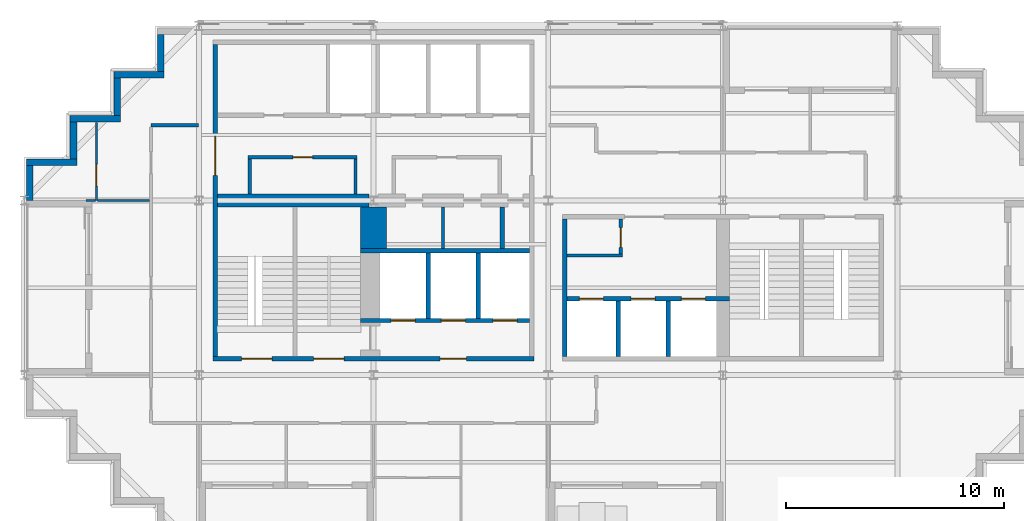
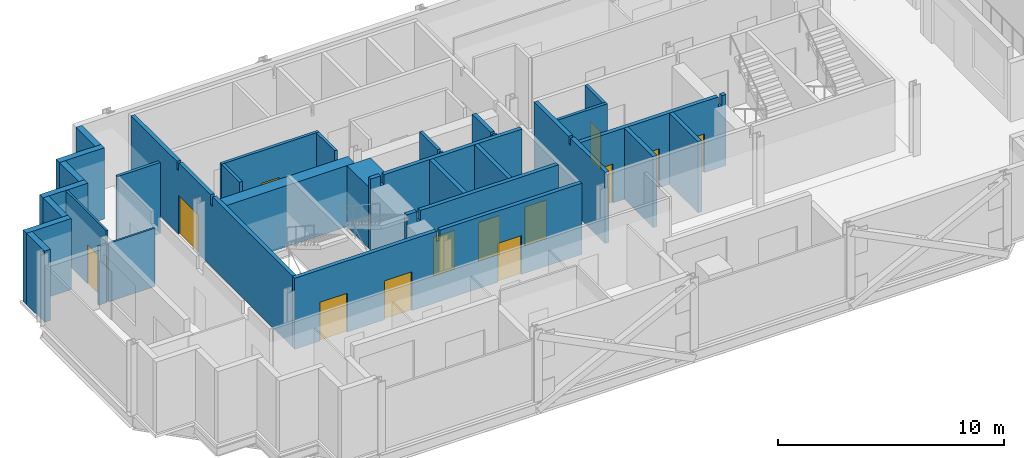
# One storey, part 5 of 10: 30 walls, 13 doors, 13 openings.
"""IFC4 building model written with IfcOpenShell, lengths in metres."""

from ifc_helpers import new_model, si_unit, direction, frame, frame_2d, origin, place, context, subcontext, project, spatial, polyline, rectangle, outline, extrude, material, layer, layer_set, type_object, element, fill, save


model = new_model("IFC4")

# Units and contexts
model_context = context("Model", 3, precision=1e-05, world=origin(), true_north=direction((0.0, 1.0)))
body_context = subcontext(model_context, "Body", "Model", "MODEL_VIEW")
ifc_project = project(units=[si_unit("LENGTHUNIT", "METRE"), si_unit("AREAUNIT", "SQUARE_METRE"), si_unit("VOLUMEUNIT", "CUBIC_METRE"), si_unit("PLANEANGLEUNIT", "RADIAN"), si_unit("MASSUNIT", "GRAM", prefix="KILO")], contexts=[model_context])

# Site, building, storey
site_placement = place(None, origin())
site = spatial("IfcSite", under=ifc_project, at=site_placement, CompositionType="ELEMENT")
building_placement = place(site_placement, origin())
building = spatial("IfcBuilding", under=site, at=building_placement, Name="Immortelle Media Tower", CompositionType="ELEMENT")
storey_placement = place(building_placement, frame((0.0, 0.0, 213.0)))
storey = spatial("IfcBuildingStorey", under=building, at=storey_placement, Name="L45", CompositionType="ELEMENT", Elevation=213.0)

# Wall
ifc_material_1 = material(Name="Fire-rated gypsum board", Category="gypsum")
ifc_layer_1 = layer(ifc_material_1, 0.02490234375)
ifc_material_2 = material(Name="Steel ASTM A653 SS Gr 50 stud frame with mineral wool", Category="steel")
ifc_layer_2 = layer(ifc_material_2, 0.10009765625)
ifc_layer_3 = layer(ifc_material_1, 0.02490234375)
ifc_layer_set_1 = layer_set([ifc_layer_1, ifc_layer_2, ifc_layer_3], Name="Steel ASTM A653 SS Gr 50 stud frame with mineral wool")
wall_type_1 = type_object("IfcWallType", Name="Core partition 150", PredefinedType="PARTITIONING", material=ifc_layer_set_1)
wall_1_placement = place(storey_placement, frame((10.324951171875, 16.300048828125, 0.0), z_axis=(0.0, 0.0, 1.0), x_axis=(0.0, 1.0, 0.0)))
element("IfcWall", 1, at=wall_1_placement, inside=storey, type_object=wall_type_1, Name="Core partition SW", PredefinedType="PARTITIONING", context=body_context, shape_type="SweptSolid", body=[
    extrude(rectangle(XDim=1.599853515625, YDim=0.14990234375, at=frame_2d((0.7998046875, 0.0))), origin(), (0.0, 0.0, 1.0), 3.85009765625),
])

# Wall, opening, door
wall_2_placement = place(storey_placement, frame((10.25, 17.97509765625, 0.0), z_axis=(0.0, 0.0, 1.0), x_axis=(1.0, 0.0, 0.0)))
wall_2 = element("IfcWall", 2, at=wall_2_placement, inside=storey, type_object=wall_type_1, Name="Core partition SW", PredefinedType="PARTITIONING", context=body_context, shape_type="SweptSolid", body=[
    extrude(rectangle(XDim=5.0, YDim=0.14990234375, at=frame_2d((2.5, 0.0))), origin(), (0.0, 0.0, 1.0), 3.85009765625),
])
opening_1_placement = place(wall_2_placement, frame((2.949951171875, 0.0, 0.0), z_axis=(0.0, 0.0, 1.0), x_axis=(-1.0, 0.0, 0.0)))
opening_1 = element("IfcOpeningElement", 3, at=opening_1_placement, cuts=wall_2, Name="Opening O3-K004", PredefinedType="OPENING", context=body_context, shape_type="SweptSolid", body=[
    extrude(rectangle(XDim=0.89990234375, YDim=2.10009765625, at=frame_2d((0.449951171875, 1.050048828125))), frame((0.0, 0.0849609375, 0.0), z_axis=(0.0, -1.0, 0.0), x_axis=(1.0, 0.0, 0.0)), (0.0, 0.0, 1.0), 0.169921875),
])
ifc_material_3 = material(Name="Timber", Category="wood")
door_type_1 = type_object("IfcDoorType", Name="Room door 900 x 2100", OperationType="NOTDEFINED", PredefinedType="NOTDEFINED", material=ifc_material_3)
door_1_placement = place(opening_1_placement, origin())
door_1 = element("IfcDoor", 4, at=door_1_placement, inside=storey, type_object=door_type_1, Name="Room O3-K004", OperationType="SINGLE_SWING_LEFT", OverallHeight=2.10009765625, OverallWidth=0.89990234375, PredefinedType="NOTDEFINED", context=body_context, shape_type="SweptSolid", body=[
    extrude(rectangle(XDim=0.89990234375, YDim=2.10009765625, at=frame_2d((0.449951171875, 1.050048828125))), frame((0.0, 0.02490234375, 0.0), z_axis=(0.0, -1.0, 0.0), x_axis=(1.0, 0.0, 0.0)), (0.0, 0.0, 1.0), 0.050048828125),
])
fill(opening_1, door_1)

# Walls
wall_3_placement = place(storey_placement, frame((15.175048828125, 16.300048828125, 0.0), z_axis=(0.0, 0.0, 1.0), x_axis=(0.0, 1.0, 0.0)))
element("IfcWall", 5, at=wall_3_placement, inside=storey, type_object=wall_type_1, Name="Core partition SW", PredefinedType="PARTITIONING", context=body_context, shape_type="SweptSolid", body=[
    extrude(rectangle(XDim=1.599853515625, YDim=0.14990234375, at=frame_2d((0.7998046875, 0.0))), origin(), (0.0, 0.0, 1.0), 3.85009765625),
])
wall_4_placement = place(storey_placement, frame((19.175048828125, 13.800048828125, 0.0), z_axis=(0.0, 0.0, 1.0), x_axis=(0.0, 1.0, 0.0)))
element("IfcWall", 6, at=wall_4_placement, inside=storey, type_object=wall_type_1, Name="Core partition SW", PredefinedType="PARTITIONING", context=body_context, shape_type="SweptSolid", body=[
    extrude(outline(polyline([(0.0, 0.0), (1.89990234375, 0.0), (1.89990234375, 3.85009765625), (0.27490234375, 3.85009765625), (0.27392578125, 3.43994140625), (0.1259765625, 3.43994140625), (0.125, 3.85009765625), (0.0, 3.85009765625), (0.0, 0.0)])), frame((0.0, 0.074951171875, 0.0), z_axis=(0.0, -1.0, 0.0), x_axis=(1.0, 0.0, 0.0)), (0.0, 0.0, 1.0), 0.14990234375),
])
wall_5_placement = place(storey_placement, frame((24.85009765625, 13.47509765625, 0.0), z_axis=(0.0, 0.0, 1.0), x_axis=(1.0, 0.0, 0.0)))
element("IfcWall", 7, at=wall_5_placement, inside=storey, type_object=wall_type_1, Name="Core partition SE", PredefinedType="PARTITIONING", context=body_context, shape_type="SweptSolid", body=[
    extrude(rectangle(XDim=2.5498046875, YDim=0.14990234375, at=frame_2d((1.27490234375, 0.0))), origin(), (0.0, 0.0, 1.0), 3.85009765625),
])

# Wall, opening, door
wall_6_placement = place(storey_placement, frame((27.324951171875, 13.550048828125, 0.0), z_axis=(0.0, 0.0, 1.0), x_axis=(0.0, 1.0, 0.0)))
wall_6 = element("IfcWall", 8, at=wall_6_placement, inside=storey, type_object=wall_type_1, Name="Core partition SE", PredefinedType="PARTITIONING", context=body_context, shape_type="SweptSolid", body=[
    extrude(rectangle(XDim=1.599853515625, YDim=0.14990234375, at=frame_2d((0.7998046875, 0.0))), origin(), (0.0, 0.0, 1.0), 3.85009765625),
])
opening_2_placement = place(wall_6_placement, frame((0.300048828125, 0.0, 0.0)))
opening_2 = element("IfcOpeningElement", 9, at=opening_2_placement, cuts=wall_6, Name="Opening O3-K021", PredefinedType="OPENING", context=body_context, shape_type="SweptSolid", body=[
    extrude(rectangle(XDim=0.89990234375, YDim=2.10009765625, at=frame_2d((0.449951171875, 1.050048828125))), frame((0.0, 0.0849609375, 0.0), z_axis=(0.0, -1.0, 0.0), x_axis=(1.0, 0.0, 0.0)), (0.0, 0.0, 1.0), 0.169921875),
])
ifc_material_4 = material(Name="Galvanised steel door leaf and frame ASTM A653", Category="steel")
door_type_2 = type_object("IfcDoorType", Name="Service door 900 x 2100", OperationType="NOTDEFINED", PredefinedType="NOTDEFINED", material=ifc_material_4)
door_2_placement = place(opening_2_placement, origin())
door_2 = element("IfcDoor", 10, at=door_2_placement, inside=storey, type_object=door_type_2, Name="Service O3-K021", OperationType="SINGLE_SWING_LEFT", OverallHeight=2.10009765625, OverallWidth=0.89990234375, PredefinedType="NOTDEFINED", context=body_context, shape_type="SweptSolid", body=[
    extrude(rectangle(XDim=0.89990234375, YDim=2.10009765625, at=frame_2d((0.449951171875, 1.050048828125))), frame((0.0, 0.02490234375, 0.0), z_axis=(0.0, -1.0, 0.0), x_axis=(1.0, 0.0, 0.0)), (0.0, 0.0, 1.0), 0.050048828125),
])
fill(opening_2, door_2)

# Wall, openings, doors
ifc_layer_4 = layer(ifc_material_1, 0.03759765625)
ifc_layer_5 = layer(ifc_material_2, 0.125)
ifc_layer_6 = layer(ifc_material_1, 0.03759765625)
ifc_layer_set_2 = layer_set([ifc_layer_4, ifc_layer_5, ifc_layer_6], Name="Steel ASTM A653 SS Gr 50 stud frame with mineral wool")
wall_type_2 = type_object("IfcWallType", Name="Core shaft wall 200", PredefinedType="PARTITIONING", material=ifc_layer_set_2)
wall_7_placement = place(storey_placement, frame((15.39990234375, 10.5, 0.0), z_axis=(0.0, 0.0, 1.0), x_axis=(1.0, 0.0, 0.0)))
wall_7 = element("IfcWall", 11, at=wall_7_placement, inside=storey, type_object=wall_type_2, Name="Core shaft wall SW", PredefinedType="PARTITIONING", context=body_context, shape_type="SweptSolid", body=[
    extrude(outline(polyline([(0.0, 0.0), (7.75, 0.0), (7.75, 3.85009765625), (0.6884765625, 3.85009765625), (0.6875, 3.30810546875), (0.512451171875, 3.30810546875), (0.511474609375, 3.85009765625), (0.0, 3.85009765625), (0.0, 0.0)])), frame((0.0, 0.10009765625, 0.0), z_axis=(0.0, -1.0, 0.0), x_axis=(1.0, 0.0, 0.0)), (0.0, 0.0, 1.0), 0.199951171875),
])
opening_3_placement = place(wall_7_placement, frame((1.39990234375, 0.0, 0.0)))
opening_3 = element("IfcOpeningElement", 12, at=opening_3_placement, cuts=wall_7, Name="Opening LD", PredefinedType="OPENING", context=body_context, shape_type="SweptSolid", body=[
    extrude(rectangle(XDim=1.10009765625, YDim=2.10009765625, at=frame_2d((0.550048828125, 1.050048828125))), frame((0.0, 0.10986328125, 0.0), z_axis=(0.0, -1.0, 0.0), x_axis=(1.0, 0.0, 0.0)), (0.0, 0.0, 1.0), 0.219970703125),
])
opening_4_placement = place(wall_7_placement, frame((3.699951171875, 0.0, 0.0)))
opening_4 = element("IfcOpeningElement", 13, at=opening_4_placement, cuts=wall_7, Name="Opening LD", PredefinedType="OPENING", context=body_context, shape_type="SweptSolid", body=[
    extrude(rectangle(XDim=1.10009765625, YDim=2.10009765625, at=frame_2d((0.550048828125, 1.050048828125))), frame((0.0, 0.10986328125, 0.0), z_axis=(0.0, -1.0, 0.0), x_axis=(1.0, 0.0, 0.0)), (0.0, 0.0, 1.0), 0.219970703125),
])
opening_5_placement = place(wall_7_placement, frame((6.074951171875, 0.0, 0.0)))
opening_5 = element("IfcOpeningElement", 14, at=opening_5_placement, cuts=wall_7, Name="Opening LD", PredefinedType="OPENING", context=body_context, shape_type="SweptSolid", body=[
    extrude(rectangle(XDim=1.10009765625, YDim=2.10009765625, at=frame_2d((0.550048828125, 1.050048828125))), frame((0.0, 0.10986328125, 0.0), z_axis=(0.0, -1.0, 0.0), x_axis=(1.0, 0.0, 0.0)), (0.0, 0.0, 1.0), 0.219970703125),
])
ifc_material_5 = material(Name="Stainless steel AISI 304", Category="steel")
door_type_3 = type_object("IfcDoorType", Name="Landing door 1100 x 2100", OperationType="SLIDING_TO_LEFT", PredefinedType="NOTDEFINED", material=ifc_material_5)
door_3_placement = place(opening_3_placement, origin())
door_3 = element("IfcDoor", 15, at=door_3_placement, inside=storey, type_object=door_type_3, Name="Landing door FF1 L45", OperationType="SLIDING_TO_LEFT", OverallHeight=2.10009765625, OverallWidth=1.10009765625, PredefinedType="NOTDEFINED", context=body_context, shape_type="SweptSolid", body=[
    extrude(rectangle(XDim=1.10009765625, YDim=2.10009765625, at=frame_2d((0.550048828125, 1.050048828125))), frame((0.0, 0.02490234375, 0.0), z_axis=(0.0, -1.0, 0.0), x_axis=(1.0, 0.0, 0.0)), (0.0, 0.0, 1.0), 0.050048828125),
])
fill(opening_3, door_3)
door_4_placement = place(opening_4_placement, origin())
door_4 = element("IfcDoor", 16, at=door_4_placement, inside=storey, type_object=door_type_3, Name="Landing door FF2 L45", OperationType="SLIDING_TO_LEFT", OverallHeight=2.10009765625, OverallWidth=1.10009765625, PredefinedType="NOTDEFINED", context=body_context, shape_type="SweptSolid", body=[
    extrude(rectangle(XDim=1.10009765625, YDim=2.10009765625, at=frame_2d((0.550048828125, 1.050048828125))), frame((0.0, 0.02490234375, 0.0), z_axis=(0.0, -1.0, 0.0), x_axis=(1.0, 0.0, 0.0)), (0.0, 0.0, 1.0), 0.050048828125),
])
fill(opening_4, door_4)
door_5_placement = place(opening_5_placement, origin())
door_5 = element("IfcDoor", 17, at=door_5_placement, inside=storey, type_object=door_type_3, Name="Landing door FF3 L45", OperationType="SLIDING_TO_LEFT", OverallHeight=2.10009765625, OverallWidth=1.10009765625, PredefinedType="NOTDEFINED", context=body_context, shape_type="SweptSolid", body=[
    extrude(rectangle(XDim=1.10009765625, YDim=2.10009765625, at=frame_2d((0.550048828125, 1.050048828125))), frame((0.0, 0.02490234375, 0.0), z_axis=(0.0, -1.0, 0.0), x_axis=(1.0, 0.0, 0.0)), (0.0, 0.0, 1.0), 0.050048828125),
])
fill(opening_5, door_5)

# Walls
wall_8_placement = place(storey_placement, frame((15.39990234375, 13.699951171875, 0.0), z_axis=(0.0, 0.0, 1.0), x_axis=(1.0, 0.0, 0.0)))
element("IfcWall", 18, at=wall_8_placement, inside=storey, type_object=wall_type_2, Name="Core shaft wall SW", PredefinedType="PARTITIONING", context=body_context, shape_type="SweptSolid", body=[
    extrude(outline(polyline([(0.0, 0.0), (7.75, 0.0), (7.75, 3.85009765625), (0.6884765625, 3.85009765625), (0.6875, 3.30810546875), (0.512451171875, 3.30810546875), (0.511474609375, 3.85009765625), (0.0, 3.85009765625), (0.0, 0.0)])), frame((0.0, 0.10009765625, 0.0), z_axis=(0.0, -1.0, 0.0), x_axis=(1.0, 0.0, 0.0)), (0.0, 0.0, 1.0), 0.199951171875),
])
for number, where, z_axis, x_axis, name in (
    (19, (18.5, 10.60009765625, 0.0), (0.0, 0.0, 1.0), (0.0, 1.0, 0.0), "Core shaft wall SW"),
    (20, (20.800048828125, 10.60009765625, 0.0), (0.0, 0.0, 1.0), (0.0, 1.0, 0.0), "Core shaft wall SW"),
):
    element("IfcWall", number, at=place(storey_placement, frame(where, z_axis=z_axis, x_axis=x_axis)), inside=storey, type_object=wall_type_2, Name=name, PredefinedType="PARTITIONING", context=body_context, shape_type="SweptSolid", body=[
        extrude(rectangle(XDim=3.0, YDim=0.199951171875, at=frame_2d((1.5, 0.0))), origin(), (0.0, 0.0, 1.0), 3.85009765625),
    ])
wall_9_placement = place(storey_placement, frame((21.89990234375, 13.800048828125, 0.0), z_axis=(0.0, 0.0, 1.0), x_axis=(0.0, 1.0, 0.0)))
element("IfcWall", 21, at=wall_9_placement, inside=storey, type_object=wall_type_2, Name="Core shaft wall SW", PredefinedType="PARTITIONING", context=body_context, shape_type="SweptSolid", body=[
    extrude(outline(polyline([(0.0, 0.0), (1.89990234375, 0.0), (1.89990234375, 3.85009765625), (0.27490234375, 3.85009765625), (0.27392578125, 3.43994140625), (0.1259765625, 3.43994140625), (0.125, 3.85009765625), (0.0, 3.85009765625), (0.0, 0.0)])), frame((0.0, 0.10009765625, 0.0), z_axis=(0.0, -1.0, 0.0), x_axis=(1.0, 0.0, 0.0)), (0.0, 0.0, 1.0), 0.199951171875),
])
wall_10_placement = place(storey_placement, frame((24.75, 8.85009765625, 0.0), z_axis=(0.0, 0.0, 1.0), x_axis=(0.0, 1.0, 0.0)))
element("IfcWall", 22, at=wall_10_placement, inside=storey, type_object=wall_type_2, Name="Core shaft wall SE", PredefinedType="PARTITIONING", context=body_context, shape_type="SweptSolid", body=[
    extrude(outline(polyline([(0.0, 0.0), (6.2998046875, 0.0), (6.300048828125, 3.85009765625), (3.22509765625, 3.85009765625), (3.22412109375, 3.43994140625), (3.075927734375, 3.43994140625), (3.074951171875, 3.85009765625), (0.0, 3.85009765625), (0.0, 0.0)])), frame((0.0, 0.10009765625, 0.0), z_axis=(0.0, -1.0, 0.0), x_axis=(1.0, 0.0, 0.0)), (0.0, 0.0, 1.0), 0.199951171875),
])

# Wall, openings, doors
wall_11_placement = place(storey_placement, frame((24.85009765625, 11.5, 0.0), z_axis=(0.0, 0.0, 1.0), x_axis=(1.0, 0.0, 0.0)))
wall_11 = element("IfcWall", 23, at=wall_11_placement, inside=storey, type_object=wall_type_2, Name="Core shaft wall SE", PredefinedType="PARTITIONING", context=body_context, shape_type="SweptSolid", body=[
    extrude(outline(polyline([(0.0, 0.0), (7.449951171875, 0.0), (7.449951171875, 3.85009765625), (7.238525390625, 3.85009765625), (7.237548828125, 3.30810546875), (7.0625, 3.30810546875), (7.0615234375, 3.85009765625), (0.0, 3.85009765625), (0.0, 0.0)])), frame((0.0, 0.10009765625, 0.0), z_axis=(0.0, -1.0, 0.0), x_axis=(1.0, 0.0, 0.0)), (0.0, 0.0, 1.0), 0.199951171875),
])
opening_6_placement = place(wall_11_placement, frame((0.574951171875, 0.0, 0.0)))
opening_6 = element("IfcOpeningElement", 24, at=opening_6_placement, cuts=wall_11, Name="Opening LD", PredefinedType="OPENING", context=body_context, shape_type="SweptSolid", body=[
    extrude(rectangle(XDim=1.10009765625, YDim=2.10009765625, at=frame_2d((0.550048828125, 1.050048828125))), frame((0.0, 0.10986328125, 0.0), z_axis=(0.0, -1.0, 0.0), x_axis=(1.0, 0.0, 0.0)), (0.0, 0.0, 1.0), 0.219970703125),
])
opening_7_placement = place(wall_11_placement, frame((2.949951171875, 0.0, 0.0)))
opening_7 = element("IfcOpeningElement", 25, at=opening_7_placement, cuts=wall_11, Name="Opening LD", PredefinedType="OPENING", context=body_context, shape_type="SweptSolid", body=[
    extrude(rectangle(XDim=1.10009765625, YDim=2.10009765625, at=frame_2d((0.550048828125, 1.050048828125))), frame((0.0, 0.10986328125, 0.0), z_axis=(0.0, -1.0, 0.0), x_axis=(1.0, 0.0, 0.0)), (0.0, 0.0, 1.0), 0.219970703125),
])
opening_8_placement = place(wall_11_placement, frame((5.25, 0.0, 0.0)))
opening_8 = element("IfcOpeningElement", 26, at=opening_8_placement, cuts=wall_11, Name="Opening LD", PredefinedType="OPENING", context=body_context, shape_type="SweptSolid", body=[
    extrude(rectangle(XDim=1.10009765625, YDim=2.10009765625, at=frame_2d((0.550048828125, 1.050048828125))), frame((0.0, 0.10986328125, 0.0), z_axis=(0.0, -1.0, 0.0), x_axis=(1.0, 0.0, 0.0)), (0.0, 0.0, 1.0), 0.219970703125),
])
door_6_placement = place(opening_6_placement, origin())
door_6 = element("IfcDoor", 27, at=door_6_placement, inside=storey, type_object=door_type_3, Name="Landing door HS1 L45", OperationType="SLIDING_TO_LEFT", OverallHeight=2.10009765625, OverallWidth=1.10009765625, PredefinedType="NOTDEFINED", context=body_context, shape_type="SweptSolid", body=[
    extrude(rectangle(XDim=1.10009765625, YDim=2.10009765625, at=frame_2d((0.550048828125, 1.050048828125))), frame((0.0, 0.02490234375, 0.0), z_axis=(0.0, -1.0, 0.0), x_axis=(1.0, 0.0, 0.0)), (0.0, 0.0, 1.0), 0.050048828125),
])
fill(opening_6, door_6)
door_7_placement = place(opening_7_placement, origin())
door_7 = element("IfcDoor", 28, at=door_7_placement, inside=storey, type_object=door_type_3, Name="Landing door HS2 L45", OperationType="SLIDING_TO_LEFT", OverallHeight=2.10009765625, OverallWidth=1.10009765625, PredefinedType="NOTDEFINED", context=body_context, shape_type="SweptSolid", body=[
    extrude(rectangle(XDim=1.10009765625, YDim=2.10009765625, at=frame_2d((0.550048828125, 1.050048828125))), frame((0.0, 0.02490234375, 0.0), z_axis=(0.0, -1.0, 0.0), x_axis=(1.0, 0.0, 0.0)), (0.0, 0.0, 1.0), 0.050048828125),
])
fill(opening_7, door_7)
door_8_placement = place(opening_8_placement, origin())
door_8 = element("IfcDoor", 29, at=door_8_placement, inside=storey, type_object=door_type_3, Name="Landing door HS3 L45", OperationType="SLIDING_TO_LEFT", OverallHeight=2.10009765625, OverallWidth=1.10009765625, PredefinedType="NOTDEFINED", context=body_context, shape_type="SweptSolid", body=[
    extrude(rectangle(XDim=1.10009765625, YDim=2.10009765625, at=frame_2d((0.550048828125, 1.050048828125))), frame((0.0, 0.02490234375, 0.0), z_axis=(0.0, -1.0, 0.0), x_axis=(1.0, 0.0, 0.0)), (0.0, 0.0, 1.0), 0.050048828125),
])
fill(opening_8, door_8)

# Walls
for number, where, z_axis, x_axis, name in (
    (30, (27.199951171875, 8.85009765625, 0.0), (0.0, 0.0, 1.0), (0.0, 1.0, 0.0), "Core shaft wall SE"),
    (31, (29.5, 8.85009765625, 0.0), (0.0, 0.0, 1.0), (0.0, 1.0, 0.0), "Core shaft wall SE"),
):
    element("IfcWall", number, at=place(storey_placement, frame(where, z_axis=z_axis, x_axis=x_axis)), inside=storey, type_object=wall_type_2, Name=name, PredefinedType="PARTITIONING", context=body_context, shape_type="SweptSolid", body=[
        extrude(rectangle(XDim=2.5498046875, YDim=0.199951171875, at=frame_2d((1.27490234375, 0.0))), origin(), (0.0, 0.0, 1.0), 3.85009765625),
    ])
ifc_layer_7 = layer(ifc_material_1, 0.012451171875)
ifc_layer_8 = layer(ifc_material_2, 0.125)
ifc_layer_9 = layer(ifc_material_1, 0.012451171875)
ifc_layer_set_3 = layer_set([ifc_layer_7, ifc_layer_8, ifc_layer_9], Name="Steel ASTM A653 SS Gr 50 stud frame with mineral wool")
wall_type_3 = type_object("IfcWallType", Name="Corridor wall 150", PredefinedType="PARTITIONING", material=ifc_layer_set_3)
wall_12_placement = place(storey_placement, frame((5.800048828125, 19.449951171875, 0.0), z_axis=(0.0, 0.0, 1.0), x_axis=(1.0, 0.0, 0.0)))
element("IfcWall", 32, at=wall_12_placement, inside=storey, type_object=wall_type_3, Name="Partition L45-022", PredefinedType="PARTITIONING", context=body_context, shape_type="SweptSolid", body=[
    extrude(rectangle(XDim=2.169921875, YDim=0.14990234375, at=frame_2d((1.0849609375, 0.0))), origin(), (0.0, 0.0, 1.0), 3.85009765625),
])
ifc_material_6 = material(Name="Pale aluminium cladding panel", Category="aluminium")
ifc_layer_10 = layer(ifc_material_6, 0.030029296875)
ifc_layer_11 = layer(ifc_material_2, 0.257568359375)
ifc_material_7 = material(Name="Moisture-resistant gypsum board", Category="gypsum")
ifc_layer_12 = layer(ifc_material_7, 0.012451171875)
ifc_layer_set_4 = layer_set([ifc_layer_10, ifc_layer_11, ifc_layer_12], Name="Steel ASTM A653 SS Gr 50 stud frame with mineral wool")
wall_type_4 = type_object("IfcWallType", Name="Facade wall 300", PredefinedType="SOLIDWALL", material=ifc_layer_set_4)
wall_13_placement = place(storey_placement, frame((6.25, 23.60009765625, 0.0), z_axis=(0.0, 0.0, 1.0), x_axis=(0.0, -1.0, 0.0)))
element("IfcWall", 33, at=wall_13_placement, inside=storey, type_object=wall_type_4, Name="Facade wall L45 W21", PredefinedType="SOLIDWALL", context=body_context, shape_type="SweptSolid", body=[
    extrude(rectangle(XDim=1.7001953125, YDim=0.300048828125, at=frame_2d((0.85009765625, 0.0))), origin(), (0.0, 0.0, 1.0), 3.85009765625),
])
wall_14_placement = place(storey_placement, frame((6.39990234375, 21.75, 0.0), z_axis=(0.0, 0.0, 1.0), x_axis=(-1.0, 0.0, 0.0)))
element("IfcWall", 34, at=wall_14_placement, inside=storey, type_object=wall_type_4, Name="Facade wall L45 N22", PredefinedType="SOLIDWALL", context=body_context, shape_type="SweptSolid", body=[
    extrude(rectangle(XDim=2.2998046875, YDim=0.300048828125, at=frame_2d((1.14990234375, 0.0))), origin(), (0.0, 0.0, 1.0), 3.85009765625),
])
wall_15_placement = place(storey_placement, frame((4.25, 21.60009765625, 0.0), z_axis=(0.0, 0.0, 1.0), x_axis=(0.0, -1.0, 0.0)))
element("IfcWall", 35, at=wall_15_placement, inside=storey, type_object=wall_type_4, Name="Facade wall L45 W23", PredefinedType="SOLIDWALL", context=body_context, shape_type="SweptSolid", body=[
    extrude(rectangle(XDim=1.7001953125, YDim=0.300048828125, at=frame_2d((0.85009765625, 0.0))), origin(), (0.0, 0.0, 1.0), 3.85009765625),
])
wall_16_placement = place(storey_placement, frame((4.39990234375, 19.75, 0.0), z_axis=(0.0, 0.0, 1.0), x_axis=(-1.0, 0.0, 0.0)))
element("IfcWall", 36, at=wall_16_placement, inside=storey, type_object=wall_type_4, Name="Facade wall L45 N24", PredefinedType="SOLIDWALL", context=body_context, shape_type="SweptSolid", body=[
    extrude(rectangle(XDim=2.2998046875, YDim=0.300048828125, at=frame_2d((1.14990234375, 0.0))), origin(), (0.0, 0.0, 1.0), 3.85009765625),
])
wall_17_placement = place(storey_placement, frame((2.25, 19.60009765625, 0.0), z_axis=(0.0, 0.0, 1.0), x_axis=(0.0, -1.0, 0.0)))
element("IfcWall", 37, at=wall_17_placement, inside=storey, type_object=wall_type_4, Name="Facade wall L45 W25", PredefinedType="SOLIDWALL", context=body_context, shape_type="SweptSolid", body=[
    extrude(rectangle(XDim=1.7001953125, YDim=0.300048828125, at=frame_2d((0.85009765625, 0.0))), origin(), (0.0, 0.0, 1.0), 3.85009765625),
])
wall_18_placement = place(storey_placement, frame((2.39990234375, 17.75, 0.0), z_axis=(0.0, 0.0, 1.0), x_axis=(-1.0, 0.0, 0.0)))
element("IfcWall", 38, at=wall_18_placement, inside=storey, type_object=wall_type_4, Name="Facade wall L45 N26", PredefinedType="SOLIDWALL", context=body_context, shape_type="SweptSolid", body=[
    extrude(rectangle(XDim=2.2998046875, YDim=0.300048828125, at=frame_2d((1.14990234375, 0.0))), origin(), (0.0, 0.0, 1.0), 3.85009765625),
])
wall_19_placement = place(storey_placement, frame((0.25, 17.60009765625, 0.0), z_axis=(0.0, 0.0, 1.0), x_axis=(0.0, -1.0, 0.0)))
element("IfcWall", 39, at=wall_19_placement, inside=storey, type_object=wall_type_4, Name="Facade wall L45 W27", PredefinedType="SOLIDWALL", context=body_context, shape_type="SweptSolid", body=[
    extrude(rectangle(XDim=1.60009765625, YDim=0.300048828125, at=frame_2d((0.800048828125, 0.0))), origin(), (0.0, 0.0, 1.0), 3.85009765625),
])
ifc_material_8 = material(Name="Gypsum board", Category="gypsum")
ifc_layer_13 = layer(ifc_material_8, 0.012451171875)
ifc_layer_14 = layer(ifc_material_2, 0.074951171875)
ifc_layer_15 = layer(ifc_material_8, 0.012451171875)
ifc_layer_set_5 = layer_set([ifc_layer_13, ifc_layer_14, ifc_layer_15], Name="Steel ASTM A653 SS Gr 50 stud frame with mineral wool")
wall_type_5 = type_object("IfcWallType", Name="Partition 100", PredefinedType="PARTITIONING", material=ifc_layer_set_5)
wall_20_placement = place(storey_placement, frame((2.830078125, 16.0, 0.0), z_axis=(0.0, 0.0, 1.0), x_axis=(1.0, 0.0, 0.0)))
element("IfcWall", 40, at=wall_20_placement, inside=storey, type_object=wall_type_5, Name="Partition L45-013", PredefinedType="PARTITIONING", context=body_context, shape_type="SweptSolid", body=[
    extrude(rectangle(XDim=0.419921875, YDim=0.10009765625, at=frame_2d((0.2099609375, 0.0))), origin(), (0.0, 0.0, 1.0), 3.156982421875),
])
wall_21_placement = place(storey_placement, frame((3.35009765625, 16.0, 0.0), z_axis=(0.0, 0.0, 1.0), x_axis=(1.0, 0.0, 0.0)))
element("IfcWall", 41, at=wall_21_placement, inside=storey, type_object=wall_type_5, Name="Partition L45-014", PredefinedType="PARTITIONING", context=body_context, shape_type="SweptSolid", body=[
    extrude(rectangle(XDim=2.375, YDim=0.10009765625, at=frame_2d((1.1875, 0.0))), origin(), (0.0, 0.0, 1.0), 3.156982421875),
])

# Wall, opening, door
wall_22_placement = place(storey_placement, frame((3.300048828125, 16.0, 0.0), z_axis=(0.0, 0.0, 1.0), x_axis=(0.0, 1.0, 0.0)))
wall_22 = element("IfcWall", 42, at=wall_22_placement, inside=storey, type_object=wall_type_5, Name="Partition L45-015", PredefinedType="PARTITIONING", context=body_context, shape_type="SweptSolid", body=[
    extrude(rectangle(XDim=3.570068359375, YDim=0.10009765625, at=frame_2d((1.78515625, 0.0))), origin(), (0.0, 0.0, 1.0), 3.85009765625),
])
opening_9_placement = place(wall_22_placement, frame((0.64990234375, 0.0, 0.0)))
opening_9 = element("IfcOpeningElement", 43, at=opening_9_placement, cuts=wall_22, Name="Opening O3-F010", PredefinedType="OPENING", context=body_context, shape_type="SweptSolid", body=[
    extrude(rectangle(XDim=1.0, YDim=2.10009765625, at=frame_2d((0.5, 1.050048828125))), frame((0.0, 0.06005859375, 0.0), z_axis=(0.0, -1.0, 0.0), x_axis=(1.0, 0.0, 0.0)), (0.0, 0.0, 1.0), 0.1201171875),
])
ifc_material_9 = material(Name="Timber veneered door leaf, galvanised steel frame ASTM A653", Category="steel")
door_type_4 = type_object("IfcDoorType", Name="Room door 1000 x 2100", OperationType="NOTDEFINED", PredefinedType="DOOR", material=ifc_material_9)
door_9_placement = place(opening_9_placement, origin())
door_9 = element("IfcDoor", 44, at=door_9_placement, inside=storey, type_object=door_type_4, Name="Door O3-F010", OperationType="SINGLE_SWING_LEFT", OverallHeight=2.10009765625, OverallWidth=1.0, PredefinedType="DOOR", context=body_context, shape_type="SweptSolid", body=[
    extrude(rectangle(XDim=1.0, YDim=2.10009765625, at=frame_2d((0.5, 1.050048828125))), frame((0.0, 0.02490234375, 0.0), z_axis=(0.0, -1.0, 0.0), x_axis=(1.0, 0.0, 0.0)), (0.0, 0.0, 1.0), 0.050048828125),
])
fill(opening_9, door_9)

# Wall
ifc_material_10 = material(Name="Concrete C60", Category="concrete")
ifc_layer_16 = layer(ifc_material_10, 1.199951171875)
ifc_layer_set_6 = layer_set([ifc_layer_16], Name="Concrete C60")
wall_type_6 = type_object("IfcWallType", Name="Stair shaft wall 1200", PredefinedType="PARTITIONING", material=ifc_layer_set_6)
wall_23_placement = place(storey_placement, frame((16.0, 13.800048828125, 0.0), z_axis=(0.0, 0.0, 1.0), x_axis=(0.0, 1.0, 0.0)))
element("IfcWall", 45, at=wall_23_placement, inside=storey, type_object=wall_type_6, Name="Stair shaft wall SW", PredefinedType="PARTITIONING", context=body_context, shape_type="SweptSolid", body=[
    extrude(rectangle(XDim=1.89990234375, YDim=1.199951171875, at=frame_2d((0.949951171875, 0.0))), origin(), (0.0, 0.0, 1.0), 3.30810546875),
])

# Wall, openings, doors
ifc_layer_17 = layer(ifc_material_10, 0.199951171875)
ifc_layer_set_7 = layer_set([ifc_layer_17], Name="Concrete C60")
wall_type_7 = type_object("IfcWallType", Name="Stair shaft wall 200", PredefinedType="PARTITIONING", material=ifc_layer_set_7)
wall_24_placement = place(storey_placement, frame((8.64990234375, 8.75, 0.0), z_axis=(0.0, 0.0, 1.0), x_axis=(1.0, 0.0, 0.0)))
wall_24 = element("IfcWall", 46, at=wall_24_placement, inside=storey, type_object=wall_type_7, Name="Stair shaft wall SW", PredefinedType="PARTITIONING", context=body_context, shape_type="SweptSolid", body=[
    extrude(outline(polyline([(0.0, 0.0), (14.7001953125, 0.0), (14.699951171875, 3.85009765625), (7.4384765625, 3.85009765625), (7.4375, 3.30810546875), (7.262451171875, 3.30810546875), (7.261474609375, 3.85009765625), (0.0, 3.85009765625), (0.0, 0.0)])), frame((0.0, 0.10009765625, 0.0), z_axis=(0.0, -1.0, 0.0), x_axis=(1.0, 0.0, 0.0)), (0.0, 0.0, 1.0), 0.199951171875),
])
opening_10_placement = place(wall_24_placement, frame((1.300048828125, 0.0, 0.0)))
opening_10 = element("IfcOpeningElement", 47, at=opening_10_placement, cuts=wall_24, Name="Opening O3-K002", PredefinedType="OPENING", context=body_context, shape_type="SweptSolid", body=[
    extrude(rectangle(XDim=1.39990234375, YDim=2.10009765625, at=frame_2d((0.699951171875, 1.050048828125))), frame((0.0, 0.10986328125, 0.0), z_axis=(0.0, -1.0, 0.0), x_axis=(1.0, 0.0, 0.0)), (0.0, 0.0, 1.0), 0.219970703125),
])
opening_11_placement = place(wall_24_placement, frame((4.60009765625, 0.0, 0.0)))
opening_11 = element("IfcOpeningElement", 48, at=opening_11_placement, cuts=wall_24, Name="Opening O3-K005", PredefinedType="OPENING", context=body_context, shape_type="SweptSolid", body=[
    extrude(rectangle(XDim=1.39990234375, YDim=2.10009765625, at=frame_2d((0.699951171875, 1.050048828125))), frame((0.0, 0.10986328125, 0.0), z_axis=(0.0, -1.0, 0.0), x_axis=(1.0, 0.0, 0.0)), (0.0, 0.0, 1.0), 0.219970703125),
])
opening_12_placement = place(wall_24_placement, frame((10.39990234375, 0.0, 0.0)))
opening_12 = element("IfcOpeningElement", 49, at=opening_12_placement, cuts=wall_24, Name="Opening O3-K012", PredefinedType="OPENING", context=body_context, shape_type="SweptSolid", body=[
    extrude(rectangle(XDim=1.199951171875, YDim=2.10009765625, at=frame_2d((0.60009765625, 1.050048828125))), frame((0.0, 0.10986328125, 0.0), z_axis=(0.0, -1.0, 0.0), x_axis=(1.0, 0.0, 0.0)), (0.0, 0.0, 1.0), 0.219970703125),
])
door_type_5 = type_object("IfcDoorType", Name="Fire-fighting lobby door 1200 x 2100", OperationType="NOTDEFINED", PredefinedType="NOTDEFINED", material=ifc_material_4)
door_10_placement = place(opening_12_placement, origin())
door_10 = element("IfcDoor", 50, at=door_10_placement, inside=storey, type_object=door_type_5, Name="Fire-fighting lobby O3-K012", OperationType="SINGLE_SWING_LEFT", OverallHeight=2.10009765625, OverallWidth=1.199951171875, PredefinedType="NOTDEFINED", context=body_context, shape_type="SweptSolid", body=[
    extrude(rectangle(XDim=1.199951171875, YDim=2.10009765625, at=frame_2d((0.60009765625, 1.050048828125))), frame((0.0, 0.02490234375, 0.0), z_axis=(0.0, -1.0, 0.0), x_axis=(1.0, 0.0, 0.0)), (0.0, 0.0, 1.0), 0.050048828125),
])
fill(opening_12, door_10)
door_type_6 = type_object("IfcDoorType", Name="Stair door 1400 x 2100", OperationType="DOUBLE_DOOR_SINGLE_SWING", PredefinedType="NOTDEFINED", material=ifc_material_4)
door_11_placement = place(opening_10_placement, origin())
door_11 = element("IfcDoor", 51, at=door_11_placement, inside=storey, type_object=door_type_6, Name="Stair O3-K002", OperationType="DOUBLE_DOOR_SINGLE_SWING", OverallHeight=2.10009765625, OverallWidth=1.39990234375, PredefinedType="NOTDEFINED", context=body_context, shape_type="SweptSolid", body=[
    extrude(rectangle(XDim=1.39990234375, YDim=2.10009765625, at=frame_2d((0.699951171875, 1.050048828125))), frame((0.0, 0.02490234375, 0.0), z_axis=(0.0, -1.0, 0.0), x_axis=(1.0, 0.0, 0.0)), (0.0, 0.0, 1.0), 0.050048828125),
])
fill(opening_10, door_11)
door_12_placement = place(opening_11_placement, origin())
door_12 = element("IfcDoor", 52, at=door_12_placement, inside=storey, type_object=door_type_6, Name="Stair O3-K005", OperationType="DOUBLE_DOOR_SINGLE_SWING", OverallHeight=2.10009765625, OverallWidth=1.39990234375, PredefinedType="NOTDEFINED", context=body_context, shape_type="SweptSolid", body=[
    extrude(rectangle(XDim=1.39990234375, YDim=2.10009765625, at=frame_2d((0.699951171875, 1.050048828125))), frame((0.0, 0.02490234375, 0.0), z_axis=(0.0, -1.0, 0.0), x_axis=(1.0, 0.0, 0.0)), (0.0, 0.0, 1.0), 0.050048828125),
])
fill(opening_11, door_12)

# Wall, opening, door
wall_25_placement = place(storey_placement, frame((8.75, 8.85009765625, 0.0), z_axis=(0.0, 0.0, 1.0), x_axis=(0.0, 1.0, 0.0)))
wall_25 = element("IfcWall", 53, at=wall_25_placement, inside=storey, type_object=wall_type_7, Name="Stair shaft wall SW", PredefinedType="PARTITIONING", context=body_context, shape_type="SweptSolid", body=[
    extrude(outline(polyline([(0.0, 0.0), (14.2998046875, 0.0), (14.300048828125, 3.85009765625), (10.22509765625, 3.85009765625), (10.22412109375, 3.43994140625), (10.075927734375, 3.43994140625), (10.074951171875, 3.85009765625), (7.238525390625, 3.85009765625), (7.237548828125, 3.30810546875), (7.0625, 3.30810546875), (7.0615234375, 3.85009765625), (0.0, 3.85009765625), (0.0, 0.0)])), frame((0.0, 0.10009765625, 0.0), z_axis=(0.0, -1.0, 0.0), x_axis=(1.0, 0.0, 0.0)), (0.0, 0.0, 1.0), 0.199951171875),
])
opening_13_placement = place(wall_25_placement, frame((8.300048828125, 0.0, 0.0)))
opening_13 = element("IfcOpeningElement", 54, at=opening_13_placement, cuts=wall_25, Name="Opening O3-K001", PredefinedType="OPENING", context=body_context, shape_type="SweptSolid", body=[
    extrude(rectangle(XDim=1.800048828125, YDim=2.10009765625, at=frame_2d((0.89990234375, 1.050048828125))), frame((0.0, 0.10986328125, 0.0), z_axis=(0.0, -1.0, 0.0), x_axis=(1.0, 0.0, 0.0)), (0.0, 0.0, 1.0), 0.219970703125),
])
door_type_7 = type_object("IfcDoorType", Name="Lift lobby door 1800 x 2100", OperationType="DOUBLE_DOOR_SINGLE_SWING", PredefinedType="NOTDEFINED", material=ifc_material_4)
door_13_placement = place(opening_13_placement, origin())
door_13 = element("IfcDoor", 55, at=door_13_placement, inside=storey, type_object=door_type_7, Name="Lift lobby O3-K001", OperationType="DOUBLE_DOOR_SINGLE_SWING", OverallHeight=2.10009765625, OverallWidth=1.800048828125, PredefinedType="NOTDEFINED", context=body_context, shape_type="SweptSolid", body=[
    extrude(rectangle(XDim=1.800048828125, YDim=2.10009765625, at=frame_2d((0.89990234375, 1.050048828125))), frame((0.0, 0.02490234375, 0.0), z_axis=(0.0, -1.0, 0.0), x_axis=(1.0, 0.0, 0.0)), (0.0, 0.0, 1.0), 0.050048828125),
])
fill(opening_13, door_13)

# Wall
ifc_layer_18 = layer(ifc_material_10, 0.60009765625)
ifc_layer_set_8 = layer_set([ifc_layer_18], Name="Concrete C60")
wall_type_8 = type_object("IfcWallType", Name="Stair shaft wall 600", PredefinedType="PARTITIONING", material=ifc_layer_set_8)
wall_26_placement = place(storey_placement, frame((8.85009765625, 16.0, 0.0), z_axis=(0.0, 0.0, 1.0), x_axis=(1.0, 0.0, 0.0)))
element("IfcWall", 56, at=wall_26_placement, inside=storey, type_object=wall_type_8, Name="Stair shaft wall SW", PredefinedType="PARTITIONING", context=body_context, shape_type="SweptSolid", body=[
    extrude(rectangle(XDim=6.94287109375, YDim=0.60009765625, at=frame_2d((3.471435546875, 0.0))), origin(), (0.0, 0.0, 1.0), 3.30810546875),
])

save(model, "model.ifc")
